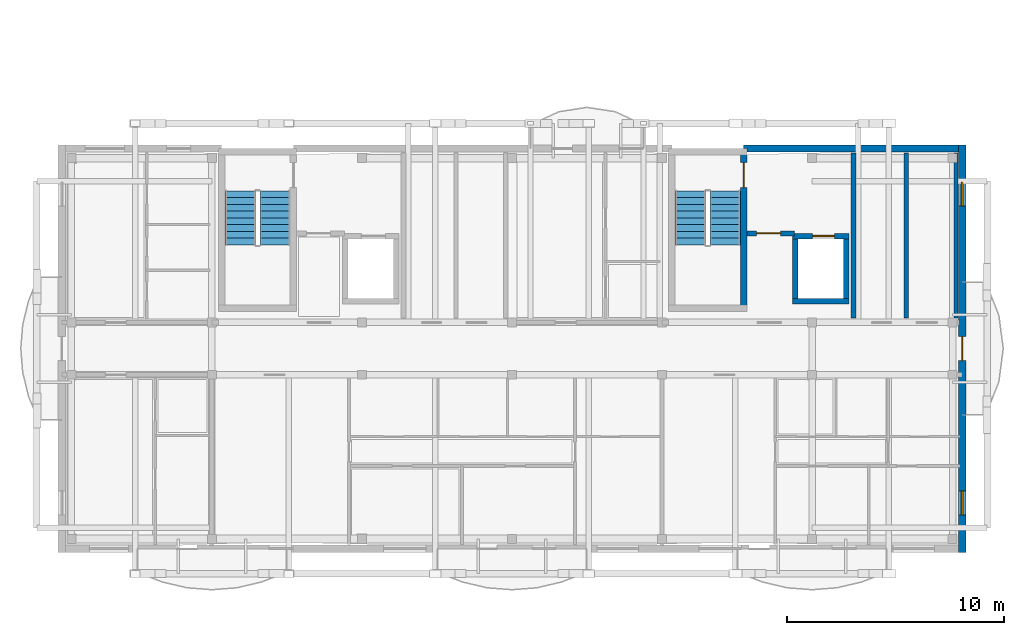
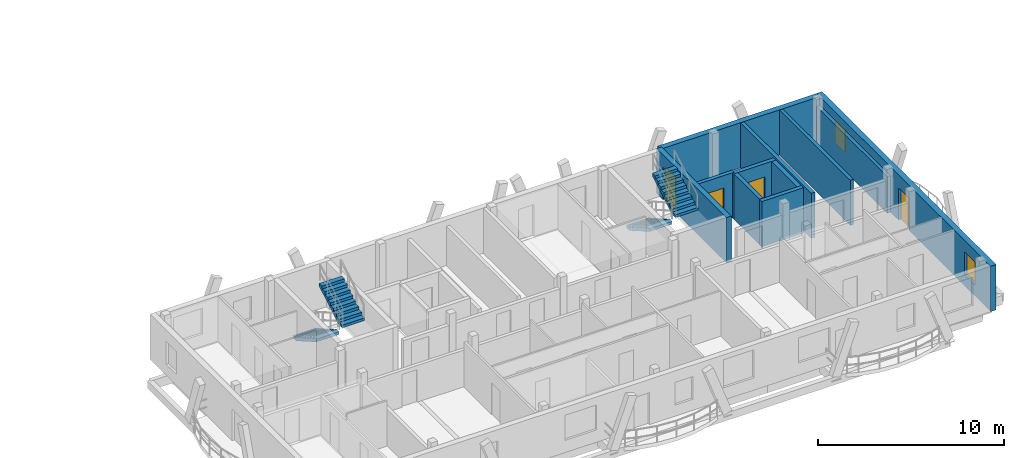
# One storey, part 7 of 10: 11 walls, 4 doors, 4 stair flights, 2 windows, 6 openings, 2 elements without a shape of their own.
"""IFC4 building model written with IfcOpenShell, lengths in metres."""

from ifc_helpers import new_model, si_unit, direction, frame, frame_2d, origin, origin_with_axes, place, context, subcontext, project, spatial, polyline, rectangle, outline, extrude, material, layer, layer_set, type_object, element, fill, aggregate, save


model = new_model("IFC4")

# Units and contexts
model_context = context("Model", 3, precision=1e-05, world=origin(), true_north=direction((0.0, 1.0)))
body_context = subcontext(model_context, "Body", "Model", "MODEL_VIEW")
ifc_project = project(units=[si_unit("LENGTHUNIT", "METRE"), si_unit("AREAUNIT", "SQUARE_METRE"), si_unit("VOLUMEUNIT", "CUBIC_METRE"), si_unit("PLANEANGLEUNIT", "RADIAN"), si_unit("MASSUNIT", "GRAM", prefix="KILO")], contexts=[model_context])

# Site, building, storey
site_placement = place(None, origin())
site = spatial("IfcSite", under=ifc_project, at=site_placement, CompositionType="ELEMENT")
building_placement = place(site_placement, origin())
building = spatial("IfcBuilding", under=site, at=building_placement, Name="Zavelmont Quarter", CompositionType="ELEMENT")
storey_placement = place(building_placement, frame((0.0, 0.0, 43.199951171875)))
storey = spatial("IfcBuildingStorey", under=building, at=storey_placement, Name="L13", CompositionType="ELEMENT", Elevation=43.199951171875)

# Wall
ifc_material_1 = material(Name="Natural Belgian limestone", Category="masonry")
ifc_layer_1 = layer(ifc_material_1, 0.340087890625)
ifc_layer_set_1 = layer_set([ifc_layer_1], Name="Natural Belgian limestone")
wall_type_1 = type_object("IfcWallType", Name="EW03", PredefinedType="STANDARD", material=ifc_layer_set_1)
wall_1_placement = place(storey_placement, frame((31.35009765625, 18.39990234375, 0.0), z_axis=(0.0, 0.0, 1.0), x_axis=(1.0, 0.0, 0.0)))
element("IfcWall", 1, at=wall_1_placement, inside=storey, type_object=wall_type_1, Name="L13 exterior limestone wall EW03", PredefinedType="STANDARD", context=body_context, shape_type="SweptSolid", body=[
    extrude(rectangle(XDim=9.889892578125, YDim=0.340087890625, at=frame_2d((4.94482421875, 0.0))), origin(), (0.0, 0.0, 1.0), 2.969970703125),
])

# Wall, openings, door, windows
wall_2_placement = place(storey_placement, frame((41.39990234375, -0.169921875, 0.0), z_axis=(0.0, 0.0, 1.0), x_axis=(0.0, 1.0, 0.0)))
wall_2 = element("IfcWall", 2, at=wall_2_placement, inside=storey, type_object=wall_type_1, Name="L13 exterior limestone wall EW03", PredefinedType="STANDARD", context=body_context, shape_type="SweptSolid", body=[
    extrude(rectangle(XDim=18.739990234375, YDim=0.340087890625, at=frame_2d((9.3701171875, 0.0))), origin(), (0.0, 0.0, 1.0), 2.969970703125),
])
opening_1_placement = place(wall_2_placement, frame((8.820068359375, 0.0, 0.0)))
opening_1 = element("IfcOpeningElement", 3, at=opening_1_placement, cuts=wall_2, Name="Opening DR04B", PredefinedType="OPENING", context=body_context, shape_type="SweptSolid", body=[
    extrude(rectangle(XDim=1.10009765625, YDim=2.10009765625, at=frame_2d((0.550048828125, 1.050048828125))), frame((0.0, 0.18212890625, 0.0), z_axis=(0.0, -1.0, 0.0), x_axis=(1.0, 0.0, 0.0)), (0.0, 0.0, 1.0), 0.364013671875),
])
opening_2_placement = place(wall_2_placement, frame((1.719970703125, 0.0, 0.719970703125)))
opening_2 = element("IfcOpeningElement", 4, at=opening_2_placement, cuts=wall_2, Name="Opening WN09", PredefinedType="OPENING", context=body_context, shape_type="SweptSolid", body=[
    extrude(rectangle(XDim=1.10009765625, YDim=1.5, at=frame_2d((0.550048828125, 0.75))), frame((0.0, 0.18212890625, 0.0), z_axis=(0.0, -1.0, 0.0), x_axis=(1.0, 0.0, 0.0)), (0.0, 0.0, 1.0), 0.364013671875),
])
opening_3_placement = place(wall_2_placement, frame((15.919921875, 0.0, 0.719970703125)))
opening_3 = element("IfcOpeningElement", 5, at=opening_3_placement, cuts=wall_2, Name="Opening WN09", PredefinedType="OPENING", context=body_context, shape_type="SweptSolid", body=[
    extrude(rectangle(XDim=1.10009765625, YDim=1.5, at=frame_2d((0.550048828125, 0.75))), frame((0.0, 0.18212890625, 0.0), z_axis=(0.0, -1.0, 0.0), x_axis=(1.0, 0.0, 0.0)), (0.0, 0.0, 1.0), 0.364013671875),
])
ifc_material_2 = material(Name="Thermally broken aluminium and double safety glass", Category="aluminium")
door_type_1 = type_object("IfcDoorType", Name="DR04B", OperationType="NOTDEFINED", PredefinedType="DOOR", material=ifc_material_2)
door_1_placement = place(opening_1_placement, origin_with_axes())
door_1 = element("IfcDoor", 6, at=door_1_placement, inside=storey, type_object=door_type_1, Name="Block A L13 terrace or vase balcony door", OperationType="SINGLE_SWING_RIGHT", OverallHeight=2.10009765625, OverallWidth=1.10009765625, PredefinedType="DOOR", context=body_context, shape_type="SweptSolid", body=[
    extrude(rectangle(XDim=1.10009765625, YDim=2.10009765625, at=frame_2d((0.550048828125, 1.050048828125))), frame((0.0, 0.02490234375, 0.0), z_axis=(0.0, -1.0, 0.0), x_axis=(1.0, 0.0, 0.0)), (0.0, 0.0, 1.0), 0.050048828125),
])
fill(opening_1, door_1)
ifc_material_3 = material(Name="Double low-E insulated glazing in thermally broken aluminium frame", Category="aluminium")
window_type = type_object("IfcWindowType", Name="WN09", PartitioningType="SINGLE_PANEL", PredefinedType="WINDOW", material=ifc_material_3)
window_1_placement = place(opening_2_placement, origin_with_axes())
window_1 = element("IfcWindow", 7, at=window_1_placement, inside=storey, type_object=window_type, Name="L13 window WN09", OverallHeight=1.5, OverallWidth=1.10009765625, PartitioningType="SINGLE_PANEL", PredefinedType="WINDOW", context=body_context, shape_type="SweptSolid", body=[
    extrude(rectangle(XDim=1.10009765625, YDim=1.5, at=frame_2d((0.550048828125, 0.75))), frame((0.0, 0.030029296875, 0.0), z_axis=(0.0, -1.0, 0.0), x_axis=(1.0, 0.0, 0.0)), (0.0, 0.0, 1.0), 0.06005859375),
])
fill(opening_2, window_1)
window_2_placement = place(opening_3_placement, origin_with_axes())
window_2 = element("IfcWindow", 8, at=window_2_placement, inside=storey, type_object=window_type, Name="L13 window WN09", OverallHeight=1.5, OverallWidth=1.10009765625, PartitioningType="SINGLE_PANEL", PredefinedType="WINDOW", context=body_context, shape_type="SweptSolid", body=[
    extrude(rectangle(XDim=1.10009765625, YDim=1.5, at=frame_2d((0.550048828125, 0.75))), frame((0.0, 0.030029296875, 0.0), z_axis=(0.0, -1.0, 0.0), x_axis=(1.0, 0.0, 0.0)), (0.0, 0.0, 1.0), 0.06005859375),
])
fill(opening_3, window_2)

# Walls
ifc_material_4 = material(Name="Calcium-silicate blockwork and acoustic plaster", Category="masonry")
ifc_layer_2 = layer(ifc_material_4, 0.199951171875)
ifc_layer_set_2 = layer_set([ifc_layer_2], Name="Calcium-silicate blockwork and acoustic plaster")
wall_type_2 = type_object("IfcWallType", Name="IW01", PredefinedType="PARTITIONING", material=ifc_layer_set_2)
wall_3_placement = place(storey_placement, frame((38.824951171875, 10.60009765625, 0.0), z_axis=(0.0, 0.0, 1.0), x_axis=(0.0, 1.0, 0.0)))
element("IfcWall", 9, at=wall_3_placement, inside=storey, type_object=wall_type_2, Name="L13 Service riser divider wall IW01", PredefinedType="PARTITIONING", context=body_context, shape_type="SweptSolid", body=[
    extrude(rectangle(XDim=7.599853515625, YDim=0.199951171875, at=frame_2d((3.7998046875, 0.0))), origin(), (0.0, 0.0, 1.0), 2.969970703125),
])
wall_4_placement = place(storey_placement, frame((41.1201171875, 10.60009765625, 0.0), z_axis=(0.0, 0.0, 1.0), x_axis=(0.0, 1.0, 0.0)))
element("IfcWall", 10, at=wall_4_placement, inside=storey, type_object=wall_type_2, Name="L13 Core service end wall IW01", PredefinedType="PARTITIONING", context=body_context, shape_type="SweptSolid", body=[
    extrude(rectangle(XDim=7.599853515625, YDim=0.199951171875, at=frame_2d((3.7998046875, 0.0))), origin(), (0.0, 0.0, 1.0), 2.41015625),
])
ifc_material_5 = material(Name="Reinforced masonry fire compartment wall", Category="masonry")
ifc_layer_3 = layer(ifc_material_5, 0.22509765625)
ifc_layer_set_3 = layer_set([ifc_layer_3], Name="Reinforced masonry fire compartment wall")
wall_type_3 = type_object("IfcWallType", Name="IW02", PredefinedType="PARTITIONING", material=ifc_layer_set_3)
wall_5_placement = place(storey_placement, frame((36.409912109375, 10.60009765625, 0.0), z_axis=(0.0, 0.0, 1.0), x_axis=(0.0, 1.0, 0.0)))
element("IfcWall", 11, at=wall_5_placement, inside=storey, type_object=wall_type_3, Name="L13 Firefighting lobby enclosure wall IW02", PredefinedType="PARTITIONING", context=body_context, shape_type="SweptSolid", body=[
    extrude(rectangle(XDim=7.599853515625, YDim=0.22509765625, at=frame_2d((3.7998046875, 0.0))), origin(), (0.0, 0.0, 1.0), 2.969970703125),
])

# Wall, opening, door
wall_6_placement = place(storey_placement, frame((31.5, 14.5, 0.0), z_axis=(0.0, 0.0, 1.0), x_axis=(1.0, 0.0, 0.0)))
wall_6 = element("IfcWall", 12, at=wall_6_placement, inside=storey, type_object=wall_type_3, Name="L13 Firefighting lobby threshold wall IW02", PredefinedType="PARTITIONING", context=body_context, shape_type="SweptSolid", body=[
    extrude(rectangle(XDim=2.199951171875, YDim=0.22509765625, at=frame_2d((1.10009765625, 0.0))), origin(), (0.0, 0.0, 1.0), 2.969970703125),
])
opening_4_placement = place(wall_6_placement, frame((0.449951171875, 0.0, 0.0)))
opening_4 = element("IfcOpeningElement", 13, at=opening_4_placement, cuts=wall_6, Name="Opening DR10", PredefinedType="OPENING", context=body_context, shape_type="SweptSolid", body=[
    extrude(rectangle(XDim=1.10009765625, YDim=2.14990234375, at=frame_2d((0.550048828125, 1.074951171875))), frame((0.0, 0.12451171875, 0.0), z_axis=(0.0, -1.0, 0.0), x_axis=(1.0, 0.0, 0.0)), (0.0, 0.0, 1.0), 0.2490234375),
])
ifc_material_6 = material(Name="Painted steel lobby fire door", Category="steel")
door_type_2 = type_object("IfcDoorType", Name="DR10", OperationType="NOTDEFINED", PredefinedType="DOOR", material=ifc_material_6)
door_2_placement = place(opening_4_placement, origin_with_axes())
door_2 = element("IfcDoor", 14, at=door_2_placement, inside=storey, type_object=door_type_2, Name="Firefighting lobby fire door", OperationType="SINGLE_SWING_RIGHT", OverallHeight=2.14990234375, OverallWidth=1.10009765625, PredefinedType="DOOR", context=body_context, shape_type="SweptSolid", body=[
    extrude(rectangle(XDim=1.10009765625, YDim=2.14990234375, at=frame_2d((0.550048828125, 1.074951171875))), frame((0.0, 0.02490234375, 0.0), z_axis=(0.0, -1.0, 0.0), x_axis=(1.0, 0.0, 0.0)), (0.0, 0.0, 1.0), 0.050048828125),
])
fill(opening_4, door_2)

ifc_material_7 = material(Name="Concrete C40/50", Category="concrete")
ifc_layer_4 = layer(ifc_material_7, 0.300048828125)
ifc_layer_set_4 = layer_set([ifc_layer_4], Name="Concrete C40/50")
wall_type_4 = type_object("IfcWallType", Name="SW01", PredefinedType="SHEAR", material=ifc_layer_set_4)
wall_7_placement = place(storey_placement, frame((31.35009765625, 10.89990234375, 0.0), z_axis=(0.0, 0.0, 1.0), x_axis=(0.0, 1.0, 0.0)))
wall_7 = element("IfcWall", 15, at=wall_7_placement, inside=storey, type_object=wall_type_4, Name="L13 ST02 lobby shear wall SW01", PredefinedType="SHEAR", context=body_context, shape_type="SweptSolid", body=[
    extrude(rectangle(XDim=7.5, YDim=0.300048828125, at=frame_2d((3.75, 0.0))), origin(), (0.0, 0.0, 1.0), 2.969970703125),
])
opening_5_placement = place(wall_7_placement, frame((5.699951171875, 0.0, 0.0)))
opening_5 = element("IfcOpeningElement", 16, at=opening_5_placement, cuts=wall_7, Name="Opening DR09", PredefinedType="OPENING", context=body_context, shape_type="SweptSolid", body=[
    extrude(rectangle(XDim=1.14990234375, YDim=2.14990234375, at=frame_2d((0.574951171875, 1.074951171875))), frame((0.0, 0.162109375, 0.0), z_axis=(0.0, -1.0, 0.0), x_axis=(1.0, 0.0, 0.0)), (0.0, 0.0, 1.0), 0.323974609375),
])
ifc_material_8 = material(Name="Painted steel stair-core fire door", Category="steel")
door_type_3 = type_object("IfcDoorType", Name="DR09", OperationType="NOTDEFINED", PredefinedType="DOOR", material=ifc_material_8)
door_3_placement = place(opening_5_placement, origin_with_axes())
door_3 = element("IfcDoor", 17, at=door_3_placement, inside=storey, type_object=door_type_3, Name="ST02 protected stair door", OperationType="SINGLE_SWING_LEFT", OverallHeight=2.14990234375, OverallWidth=1.14990234375, PredefinedType="DOOR", context=body_context, shape_type="SweptSolid", body=[
    extrude(rectangle(XDim=1.14990234375, YDim=2.14990234375, at=frame_2d((0.574951171875, 1.074951171875))), frame((0.0, 0.02490234375, 0.0), z_axis=(0.0, -1.0, 0.0), x_axis=(1.0, 0.0, 0.0)), (0.0, 0.0, 1.0), 0.050048828125),
])
fill(opening_5, door_3)

ifc_layer_5 = layer(ifc_material_7, 0.25)
ifc_layer_set_5 = layer_set([ifc_layer_5], Name="Concrete C40/50")
wall_type_5 = type_object("IfcWallType", Name="SW02", PredefinedType="SHEAR", material=ifc_layer_set_5)
wall_8_placement = place(storey_placement, frame((33.60009765625, 14.375, 0.0), z_axis=(0.0, 0.0, 1.0), x_axis=(1.0, 0.0, 0.0)))
wall_8 = element("IfcWall", 18, at=wall_8_placement, inside=storey, type_object=wall_type_5, Name="L13 Lift LF02 landing shaft wall SW02", PredefinedType="SHEAR", context=body_context, shape_type="SweptSolid", body=[
    extrude(rectangle(XDim=2.599853515625, YDim=0.25, at=frame_2d((1.2998046875, 0.0))), origin(), (0.0, 0.0, 1.0), 2.969970703125),
])
opening_6_placement = place(wall_8_placement, frame((0.925048828125, 0.0, 0.0)))
opening_6 = element("IfcOpeningElement", 19, at=opening_6_placement, cuts=wall_8, Name="Opening LD01", PredefinedType="OPENING", context=body_context, shape_type="SweptSolid", body=[
    extrude(rectangle(XDim=1.0, YDim=2.10009765625, at=frame_2d((0.5, 1.050048828125))), frame((0.0, 0.136962890625, 0.0), z_axis=(0.0, -1.0, 0.0), x_axis=(1.0, 0.0, 0.0)), (0.0, 0.0, 1.0), 0.27392578125),
])
ifc_material_9 = material(Name="Brushed stainless-steel automatic sliding landing door", Category="steel")
door_type_4 = type_object("IfcDoorType", Name="LD01", OperationType="SLIDING_TO_LEFT", PredefinedType="DOOR", material=ifc_material_9)
door_4_placement = place(opening_6_placement, origin_with_axes())
door_4 = element("IfcDoor", 20, at=door_4_placement, inside=storey, type_object=door_type_4, Name="Lift LF02 sliding landing door", OperationType="SLIDING_TO_LEFT", OverallHeight=2.10009765625, OverallWidth=1.0, PredefinedType="DOOR", context=body_context, shape_type="SweptSolid", body=[
    extrude(rectangle(XDim=1.0, YDim=2.10009765625, at=frame_2d((0.5, 1.050048828125))), frame((0.0, 0.02490234375, 0.0), z_axis=(0.0, -1.0, 0.0), x_axis=(1.0, 0.0, 0.0)), (0.0, 0.0, 1.0), 0.050048828125),
])
fill(opening_6, door_4)

# Walls
wall_9_placement = place(storey_placement, frame((33.60009765625, 11.375, 0.0), z_axis=(0.0, 0.0, 1.0), x_axis=(1.0, 0.0, 0.0)))
element("IfcWall", 21, at=wall_9_placement, inside=storey, type_object=wall_type_5, Name="L13 Lift LF02 back shaft wall SW02", PredefinedType="SHEAR", context=body_context, shape_type="SweptSolid", body=[
    extrude(rectangle(XDim=2.599853515625, YDim=0.25, at=frame_2d((1.2998046875, 0.0))), origin(), (0.0, 0.0, 1.0), 2.969970703125),
])
for number, where, z_axis, x_axis, name in (
    (22, (33.72509765625, 11.25, 0.0), (0.0, 0.0, 1.0), (0.0, 1.0, 0.0), "L13 Lift LF02 west shaft wall SW02"),
    (23, (36.074951171875, 11.25, 0.0), (0.0, 0.0, 1.0), (0.0, 1.0, 0.0), "L13 Lift LF02 east shaft wall SW02"),
):
    element("IfcWall", number, at=place(storey_placement, frame(where, z_axis=z_axis, x_axis=x_axis)), inside=storey, type_object=wall_type_5, Name=name, PredefinedType="SHEAR", context=body_context, shape_type="SweptSolid", body=[
        extrude(rectangle(XDim=3.25, YDim=0.25, at=frame_2d((1.625, 0.0))), origin(), (0.0, 0.0, 1.0), 2.969970703125),
    ])

# Stair, stair flights
ifc_material_10 = material(Name="Concrete C35/45", Category="concrete")
stair_type = type_object("IfcStairType", Name="STR-1400-1778", PredefinedType="HALF_TURN_STAIR", material=ifc_material_10)
stair_1_placement = place(storey_placement, origin())
stair_1 = element("IfcStair", 24, at=stair_1_placement, inside=storey, type_object=stair_type, Name="L13 protected stair ST01", PredefinedType="HALF_TURN_STAIR")
stair_flight_type = type_object("IfcStairFlightType", Name="STF-1400-1778", PredefinedType="STRAIGHT", material=ifc_material_10)
stair_flight_1_placement = place(storey_placement, frame((8.199951171875, 16.449951171875, 0.0), z_axis=(0.0, 0.0, 1.0), x_axis=(0.0, -1.0, 0.0)))
stair_flight_1 = element("IfcStairFlight", 25, at=stair_flight_1_placement, type_object=stair_flight_type, Name="ST01 flight 1", NumberOfRisers=9, NumberOfTreads=8, PredefinedType="STRAIGHT", RiserHeight=0.177777778, TreadLength=0.31, context=body_context, shape_type="SweptSolid", body=[
    extrude(outline(polyline([(0.0, 0.0), (0.0, 0.177734375), (0.31005859375, 0.177734375), (0.31005859375, 0.35546875), (0.6201171875, 0.35546875), (0.6201171875, 0.533447265625), (0.929931640625, 0.533447265625), (0.929931640625, 0.711181640625), (1.239990234375, 0.711181640625), (1.239990234375, 0.888916015625), (1.550048828125, 0.888916015625), (1.550048828125, 1.066650390625), (1.860107421875, 1.066650390625), (1.860107421875, 1.244384765625), (2.169921875, 1.244384765625), (2.169921875, 1.422119140625), (2.47998046875, 1.422119140625), (2.47998046875, 1.60009765625), (2.47998046875, 1.23779296875), (0.321533203125, 0.0), (0.0, 0.0)])), frame((0.0, 0.699951171875, 0.0), z_axis=(0.0, -1.0, 0.0), x_axis=(1.0, 0.0, 0.0)), (0.0, 0.0, 1.0), 1.39990234375),
])
stair_flight_2_placement = place(storey_placement, frame((9.800048828125, 13.969970703125, 1.60009765625), z_axis=(0.0, 0.0, 1.0), x_axis=(0.0, 1.0, 0.0)))
stair_flight_2 = element("IfcStairFlight", 26, at=stair_flight_2_placement, type_object=stair_flight_type, Name="ST01 flight 2", NumberOfRisers=9, NumberOfTreads=8, PredefinedType="STRAIGHT", RiserHeight=0.177777778, TreadLength=0.31, context=body_context, shape_type="SweptSolid", body=[
    extrude(outline(polyline([(0.0, 0.0), (0.0, 0.177734375), (0.31005859375, 0.177734375), (0.31005859375, 0.35546875), (0.6201171875, 0.35546875), (0.6201171875, 0.533447265625), (0.929931640625, 0.533447265625), (0.929931640625, 0.711181640625), (1.239990234375, 0.711181640625), (1.239990234375, 0.888916015625), (1.550048828125, 0.888916015625), (1.550048828125, 1.066650390625), (1.860107421875, 1.066650390625), (1.860107421875, 1.244384765625), (2.169921875, 1.244384765625), (2.169921875, 1.422119140625), (2.47998046875, 1.422119140625), (2.47998046875, 1.60009765625), (2.47998046875, 1.23779296875), (0.321533203125, 0.0), (0.0, 0.0)])), frame((0.0, 0.699951171875, 0.0), z_axis=(0.0, -1.0, 0.0), x_axis=(1.0, 0.0, 0.0)), (0.0, 0.0, 1.0), 1.39990234375),
])
aggregate(stair_1, [stair_flight_1, stair_flight_2])

stair_2_placement = place(storey_placement, origin())
stair_2 = element("IfcStair", 27, at=stair_2_placement, inside=storey, type_object=stair_type, Name="L13 protected stair ST02", PredefinedType="HALF_TURN_STAIR")
stair_flight_3_placement = place(storey_placement, frame((28.89990234375, 16.449951171875, 0.0), z_axis=(0.0, 0.0, 1.0), x_axis=(0.0, -1.0, 0.0)))
stair_flight_3 = element("IfcStairFlight", 28, at=stair_flight_3_placement, type_object=stair_flight_type, Name="ST02 flight 1", NumberOfRisers=9, NumberOfTreads=8, PredefinedType="STRAIGHT", RiserHeight=0.177777778, TreadLength=0.31, context=body_context, shape_type="SweptSolid", body=[
    extrude(outline(polyline([(0.0, 0.0), (0.0, 0.177734375), (0.31005859375, 0.177734375), (0.31005859375, 0.35546875), (0.6201171875, 0.35546875), (0.6201171875, 0.533447265625), (0.929931640625, 0.533447265625), (0.929931640625, 0.711181640625), (1.239990234375, 0.711181640625), (1.239990234375, 0.888916015625), (1.550048828125, 0.888916015625), (1.550048828125, 1.066650390625), (1.860107421875, 1.066650390625), (1.860107421875, 1.244384765625), (2.169921875, 1.244384765625), (2.169921875, 1.422119140625), (2.47998046875, 1.422119140625), (2.47998046875, 1.60009765625), (2.47998046875, 1.23779296875), (0.321533203125, 0.0), (0.0, 0.0)])), frame((0.0, 0.699951171875, 0.0), z_axis=(0.0, -1.0, 0.0), x_axis=(1.0, 0.0, 0.0)), (0.0, 0.0, 1.0), 1.39990234375),
])
stair_flight_4_placement = place(storey_placement, frame((30.5, 13.969970703125, 1.60009765625), z_axis=(0.0, 0.0, 1.0), x_axis=(0.0, 1.0, 0.0)))
stair_flight_4 = element("IfcStairFlight", 29, at=stair_flight_4_placement, type_object=stair_flight_type, Name="ST02 flight 2", NumberOfRisers=9, NumberOfTreads=8, PredefinedType="STRAIGHT", RiserHeight=0.177777778, TreadLength=0.31, context=body_context, shape_type="SweptSolid", body=[
    extrude(outline(polyline([(0.0, 0.0), (0.0, 0.177734375), (0.31005859375, 0.177734375), (0.31005859375, 0.35546875), (0.6201171875, 0.35546875), (0.6201171875, 0.533447265625), (0.929931640625, 0.533447265625), (0.929931640625, 0.711181640625), (1.239990234375, 0.711181640625), (1.239990234375, 0.888916015625), (1.550048828125, 0.888916015625), (1.550048828125, 1.066650390625), (1.860107421875, 1.066650390625), (1.860107421875, 1.244384765625), (2.169921875, 1.244384765625), (2.169921875, 1.422119140625), (2.47998046875, 1.422119140625), (2.47998046875, 1.60009765625), (2.47998046875, 1.23779296875), (0.321533203125, 0.0), (0.0, 0.0)])), frame((0.0, 0.699951171875, 0.0), z_axis=(0.0, -1.0, 0.0), x_axis=(1.0, 0.0, 0.0)), (0.0, 0.0, 1.0), 1.39990234375),
])
aggregate(stair_2, [stair_flight_3, stair_flight_4])

save(model, "model.ifc")
